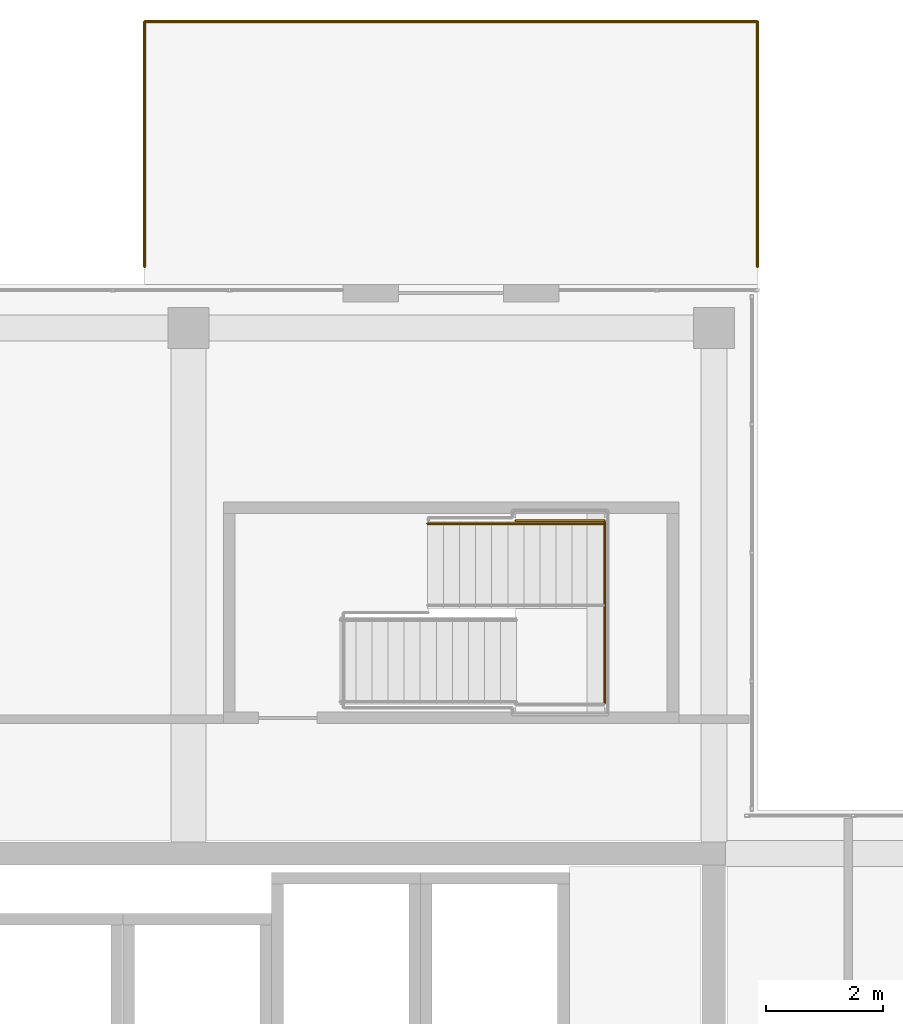
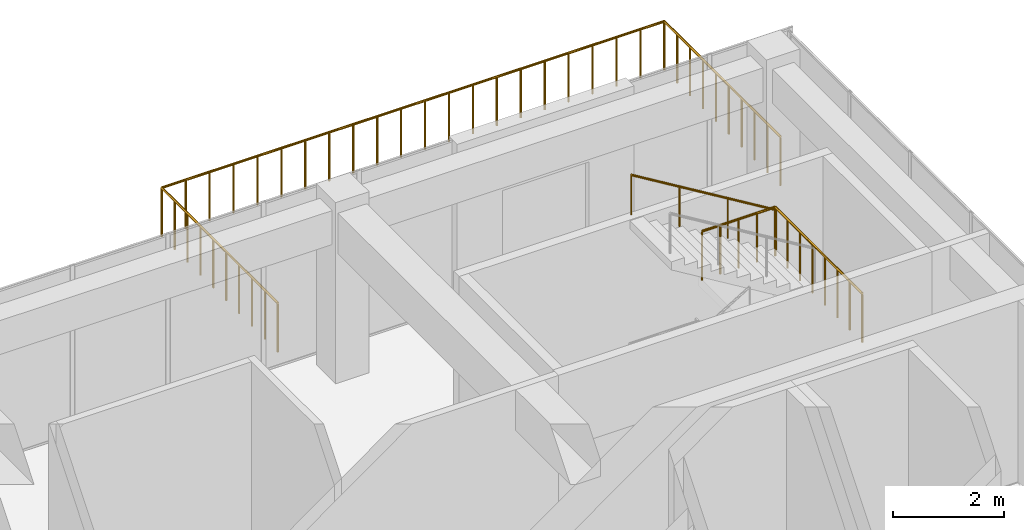
# One storey, part 49 of 49: 5 railings.
"""IFC4 building model written with IfcOpenShell, lengths in metres."""

from ifc_helpers import new_model, si_unit, direction, frame, origin, origin_2d, place, context, subcontext, project, spatial, circle, extrude, material, type_object, element, save


model = new_model("IFC4")

# Units and contexts
model_context = context("Model", 3, precision=1e-05, world=origin(), true_north=direction((0.0, 1.0)))
body_context = subcontext(model_context, "Body", "Model", "MODEL_VIEW")
ifc_project = project(units=[si_unit("LENGTHUNIT", "METRE"), si_unit("AREAUNIT", "SQUARE_METRE"), si_unit("VOLUMEUNIT", "CUBIC_METRE"), si_unit("PLANEANGLEUNIT", "RADIAN"), si_unit("MASSUNIT", "GRAM", prefix="KILO")], contexts=[model_context])

# Site, building, storey
site_placement = place(None, origin())
site = spatial("IfcSite", under=ifc_project, at=site_placement, CompositionType="ELEMENT")
building_placement = place(site_placement, origin())
building = spatial("IfcBuilding", under=site, at=building_placement, Name="Tuart Plaza Theatre", CompositionType="ELEMENT")
storey_placement = place(building_placement, frame((0.0, 0.0, 29.5)))
storey = spatial("IfcBuildingStorey", under=building, at=storey_placement, Name="L07", CompositionType="ELEMENT", Elevation=29.5)

# Railings
ifc_material_1 = material(Name="Steel Grade C350L0", Category="steel")
railing_type_1 = type_object("IfcRailingType", Name="RAILING Guard 1100", PredefinedType="GUARDRAIL", material=ifc_material_1)
railing_1_placement = place(storey_placement, frame((131.25, 97.25, 0.0)))
element("IfcRailing", 1, at=railing_1_placement, inside=storey, type_object=railing_type_1, Name="GR184", PredefinedType="GUARDRAIL", context=body_context, shape_type="SweptSolid", body=[
    extrude(circle(Radius=0.02490234375, at=origin_2d()), frame((0.0, 0.0, 1.0751953125), z_axis=(1.0, 0.0, 0.0), x_axis=(0.0, 1.0, 0.0)), (0.0, 0.0, 1.0), 10.5),
    extrude(circle(Radius=0.02490234375, at=origin_2d()), frame((10.5, 0.0, 1.0751953125), z_axis=(0.0, -1.0, 0.0), x_axis=(1.0, 0.0, 0.0)), (0.0, 0.0, 1.0), 4.199951171875),
    extrude(circle(Radius=0.02001953125, at=origin_2d()), origin(), (0.0, 0.0, 1.0), 1.050048828125),
    extrude(circle(Radius=0.02001953125, at=origin_2d()), frame((0.5, 0.0, 0.0)), (0.0, 0.0, 1.0), 1.050048828125),
    extrude(circle(Radius=0.02001953125, at=origin_2d()), frame((1.0, 0.0, 0.0)), (0.0, 0.0, 1.0), 1.050048828125),
    extrude(circle(Radius=0.02001953125, at=origin_2d()), frame((1.5, 0.0, 0.0)), (0.0, 0.0, 1.0), 1.050048828125),
    extrude(circle(Radius=0.02001953125, at=origin_2d()), frame((2.0, 0.0, 0.0)), (0.0, 0.0, 1.0), 1.050048828125),
    extrude(circle(Radius=0.02001953125, at=origin_2d()), frame((2.5, 0.0, 0.0)), (0.0, 0.0, 1.0), 1.050048828125),
    extrude(circle(Radius=0.02001953125, at=origin_2d()), frame((3.0, 0.0, 0.0)), (0.0, 0.0, 1.0), 1.050048828125),
    extrude(circle(Radius=0.02001953125, at=origin_2d()), frame((3.5, 0.0, 0.0)), (0.0, 0.0, 1.0), 1.050048828125),
    extrude(circle(Radius=0.02001953125, at=origin_2d()), frame((4.0, 0.0, 0.0)), (0.0, 0.0, 1.0), 1.050048828125),
    extrude(circle(Radius=0.02001953125, at=origin_2d()), frame((4.5, 0.0, 0.0)), (0.0, 0.0, 1.0), 1.050048828125),
    extrude(circle(Radius=0.02001953125, at=origin_2d()), frame((5.0, 0.0, 0.0)), (0.0, 0.0, 1.0), 1.050048828125),
    extrude(circle(Radius=0.02001953125, at=origin_2d()), frame((5.5, 0.0, 0.0)), (0.0, 0.0, 1.0), 1.050048828125),
    extrude(circle(Radius=0.02001953125, at=origin_2d()), frame((6.0, 0.0, 0.0)), (0.0, 0.0, 1.0), 1.050048828125),
    extrude(circle(Radius=0.02001953125, at=origin_2d()), frame((6.5, 0.0, 0.0)), (0.0, 0.0, 1.0), 1.050048828125),
    extrude(circle(Radius=0.02001953125, at=origin_2d()), frame((7.0, 0.0, 0.0)), (0.0, 0.0, 1.0), 1.050048828125),
    extrude(circle(Radius=0.02001953125, at=origin_2d()), frame((7.5, 0.0, 0.0)), (0.0, 0.0, 1.0), 1.050048828125),
    extrude(circle(Radius=0.02001953125, at=origin_2d()), frame((8.0, 0.0, 0.0)), (0.0, 0.0, 1.0), 1.050048828125),
    extrude(circle(Radius=0.02001953125, at=origin_2d()), frame((8.5, 0.0, 0.0)), (0.0, 0.0, 1.0), 1.050048828125),
    extrude(circle(Radius=0.02001953125, at=origin_2d()), frame((9.0, 0.0, 0.0)), (0.0, 0.0, 1.0), 1.050048828125),
    extrude(circle(Radius=0.02001953125, at=origin_2d()), frame((9.5, 0.0, 0.0)), (0.0, 0.0, 1.0), 1.050048828125),
    extrude(circle(Radius=0.02001953125, at=origin_2d()), frame((10.0, 0.0, 0.0)), (0.0, 0.0, 1.0), 1.050048828125),
    extrude(circle(Radius=0.02001953125, at=origin_2d()), frame((10.5, 0.0, 0.0)), (0.0, 0.0, 1.0), 1.050048828125),
    extrude(circle(Radius=0.02001953125, at=origin_2d()), frame((10.5, -0.466552734375, 0.0)), (0.0, 0.0, 1.0), 1.050048828125),
    extrude(circle(Radius=0.02001953125, at=origin_2d()), frame((10.5, -0.933349609375, 0.0)), (0.0, 0.0, 1.0), 1.050048828125),
    extrude(circle(Radius=0.02001953125, at=origin_2d()), frame((10.5, -1.39990234375, 0.0)), (0.0, 0.0, 1.0), 1.050048828125),
    extrude(circle(Radius=0.02001953125, at=origin_2d()), frame((10.5, -1.86669921875, 0.0)), (0.0, 0.0, 1.0), 1.050048828125),
    extrude(circle(Radius=0.02001953125, at=origin_2d()), frame((10.5, -2.333251953125, 0.0)), (0.0, 0.0, 1.0), 1.050048828125),
    extrude(circle(Radius=0.02001953125, at=origin_2d()), frame((10.5, -2.800048828125, 0.0)), (0.0, 0.0, 1.0), 1.050048828125),
    extrude(circle(Radius=0.02001953125, at=origin_2d()), frame((10.5, -3.2666015625, 0.0)), (0.0, 0.0, 1.0), 1.050048828125),
    extrude(circle(Radius=0.02001953125, at=origin_2d()), frame((10.5, -3.7333984375, 0.0)), (0.0, 0.0, 1.0), 1.050048828125),
    extrude(circle(Radius=0.02001953125, at=origin_2d()), frame((10.5, -4.199951171875, 0.0)), (0.0, 0.0, 1.0), 1.050048828125),
])
railing_2_placement = place(storey_placement, frame((131.25, 93.050048828125, 0.0)))
element("IfcRailing", 2, at=railing_2_placement, inside=storey, type_object=railing_type_1, Name="GR185", PredefinedType="GUARDRAIL", context=body_context, shape_type="SweptSolid", body=[
    extrude(circle(Radius=0.02490234375, at=origin_2d()), frame((0.0, 0.0, 1.0751953125), z_axis=(0.0, 1.0, 0.0), x_axis=(-1.0, 0.0, 0.0)), (0.0, 0.0, 1.0), 4.199951171875),
    extrude(circle(Radius=0.02001953125, at=origin_2d()), origin(), (0.0, 0.0, 1.0), 1.050048828125),
    extrude(circle(Radius=0.02001953125, at=origin_2d()), frame((0.0, 0.466552734375, 0.0)), (0.0, 0.0, 1.0), 1.050048828125),
    extrude(circle(Radius=0.02001953125, at=origin_2d()), frame((0.0, 0.933349609375, 0.0)), (0.0, 0.0, 1.0), 1.050048828125),
    extrude(circle(Radius=0.02001953125, at=origin_2d()), frame((0.0, 1.39990234375, 0.0)), (0.0, 0.0, 1.0), 1.050048828125),
    extrude(circle(Radius=0.02001953125, at=origin_2d()), frame((0.0, 1.86669921875, 0.0)), (0.0, 0.0, 1.0), 1.050048828125),
    extrude(circle(Radius=0.02001953125, at=origin_2d()), frame((0.0, 2.333251953125, 0.0)), (0.0, 0.0, 1.0), 1.050048828125),
    extrude(circle(Radius=0.02001953125, at=origin_2d()), frame((0.0, 2.800048828125, 0.0)), (0.0, 0.0, 1.0), 1.050048828125),
    extrude(circle(Radius=0.02001953125, at=origin_2d()), frame((0.0, 3.2666015625, 0.0)), (0.0, 0.0, 1.0), 1.050048828125),
    extrude(circle(Radius=0.02001953125, at=origin_2d()), frame((0.0, 3.7333984375, 0.0)), (0.0, 0.0, 1.0), 1.050048828125),
    extrude(circle(Radius=0.02001953125, at=origin_2d()), frame((0.0, 4.199951171875, 0.0)), (0.0, 0.0, 1.0), 1.050048828125),
])
railing_3_placement = place(storey_placement, frame((139.1298828125, 85.550048828125, 2.0)))
element("IfcRailing", 3, at=railing_3_placement, inside=storey, type_object=railing_type_1, Name="GR316", PredefinedType="GUARDRAIL", context=body_context, shape_type="SweptSolid", body=[
    extrude(circle(Radius=0.02490234375, at=origin_2d()), frame((0.0, 0.0, 1.0751953125), z_axis=(0.0, 1.0, 0.0), x_axis=(-1.0, 0.0, 0.0)), (0.0, 0.0, 1.0), 3.14990234375),
    extrude(circle(Radius=0.02001953125, at=origin_2d()), origin(), (0.0, 0.0, 1.0), 1.050048828125),
    extrude(circle(Radius=0.02001953125, at=origin_2d()), frame((0.0, 0.449951171875, 0.0)), (0.0, 0.0, 1.0), 1.050048828125),
    extrude(circle(Radius=0.02001953125, at=origin_2d()), frame((0.0, 0.89990234375, 0.0)), (0.0, 0.0, 1.0), 1.050048828125),
    extrude(circle(Radius=0.02001953125, at=origin_2d()), frame((0.0, 1.349853515625, 0.0)), (0.0, 0.0, 1.0), 1.050048828125),
    extrude(circle(Radius=0.02001953125, at=origin_2d()), frame((0.0, 1.800048828125, 0.0)), (0.0, 0.0, 1.0), 1.050048828125),
    extrude(circle(Radius=0.02001953125, at=origin_2d()), frame((0.0, 2.25, 0.0)), (0.0, 0.0, 1.0), 1.050048828125),
    extrude(circle(Radius=0.02001953125, at=origin_2d()), frame((0.0, 2.699951171875, 0.0)), (0.0, 0.0, 1.0), 1.050048828125),
    extrude(circle(Radius=0.02001953125, at=origin_2d()), frame((0.0, 3.14990234375, 0.0)), (0.0, 0.0, 1.0), 1.050048828125),
])
railing_4_placement = place(storey_placement, frame((139.1298828125, 88.699951171875, 2.0)))
element("IfcRailing", 4, at=railing_4_placement, inside=storey, type_object=railing_type_1, Name="GR317", PredefinedType="GUARDRAIL", context=body_context, shape_type="SweptSolid", body=[
    extrude(circle(Radius=0.02490234375, at=origin_2d()), frame((0.0, 0.0, 1.0751953125), z_axis=(-1.0, 0.0, 0.0), x_axis=(0.0, -1.0, 0.0)), (0.0, 0.0, 1.0), 1.52978515625),
    extrude(circle(Radius=0.02001953125, at=origin_2d()), origin(), (0.0, 0.0, 1.0), 1.050048828125),
    extrude(circle(Radius=0.02001953125, at=origin_2d()), frame((-0.38232421875, 0.0, 0.0)), (0.0, 0.0, 1.0), 1.050048828125),
    extrude(circle(Radius=0.02001953125, at=origin_2d()), frame((-0.764892578125, 0.0, 0.0)), (0.0, 0.0, 1.0), 1.050048828125),
    extrude(circle(Radius=0.02001953125, at=origin_2d()), frame((-1.1474609375, 0.0, 0.0)), (0.0, 0.0, 1.0), 1.050048828125),
    extrude(circle(Radius=0.02001953125, at=origin_2d()), frame((-1.52978515625, 0.0, 0.0)), (0.0, 0.0, 1.0), 1.050048828125),
])
ifc_material_2 = material(Name="Steel Grade C350L0", Category="steel")
railing_type_2 = type_object("IfcRailingType", Name="RAILING Handrail 900", PredefinedType="HANDRAIL", material=ifc_material_2)
railing_5_placement = place(storey_placement, frame((139.1201171875, 88.64990234375, 2.166748046875)))
element("IfcRailing", 5, at=railing_5_placement, inside=storey, type_object=railing_type_2, Name="HR210", PredefinedType="HANDRAIL", context=body_context, shape_type="SweptSolid", body=[
    extrude(circle(Radius=0.0224609375, at=origin_2d()), frame((0.0, 0.0, 0.87744140625), z_axis=(-0.855219153138, 0.0, 0.518266533848), x_axis=(0.0, -1.0, 0.0)), (0.0, 0.0, 1.0), 3.537353515625),
    extrude(circle(Radius=0.01513671875, at=origin_2d()), origin(), (0.0, 0.0, 1.0), 0.85498046875),
    extrude(circle(Radius=0.01513671875, at=origin_2d()), frame((-1.00830078125, 0.0, 0.611083984375)), (0.0, 0.0, 1.0), 0.85498046875),
    extrude(circle(Radius=0.01513671875, at=origin_2d()), frame((-2.016845703125, 0.0, 1.22216796875)), (0.0, 0.0, 1.0), 0.85498046875),
    extrude(circle(Radius=0.01513671875, at=origin_2d()), frame((-3.025146484375, 0.0, 1.833251953125)), (0.0, 0.0, 1.0), 0.85498046875),
])

save(model, "model.ifc")
